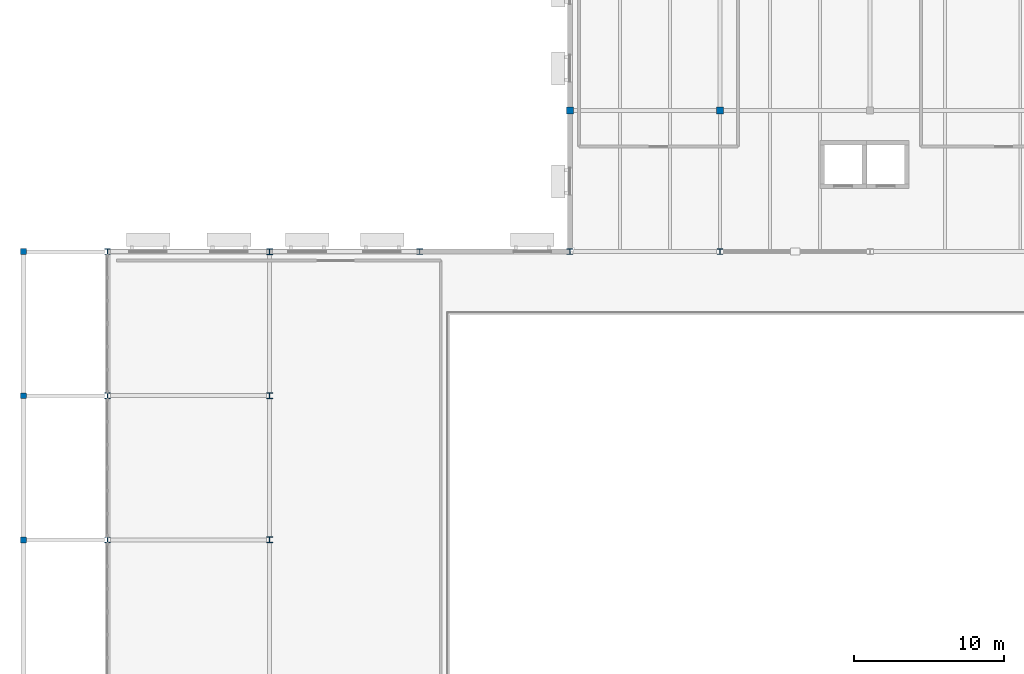
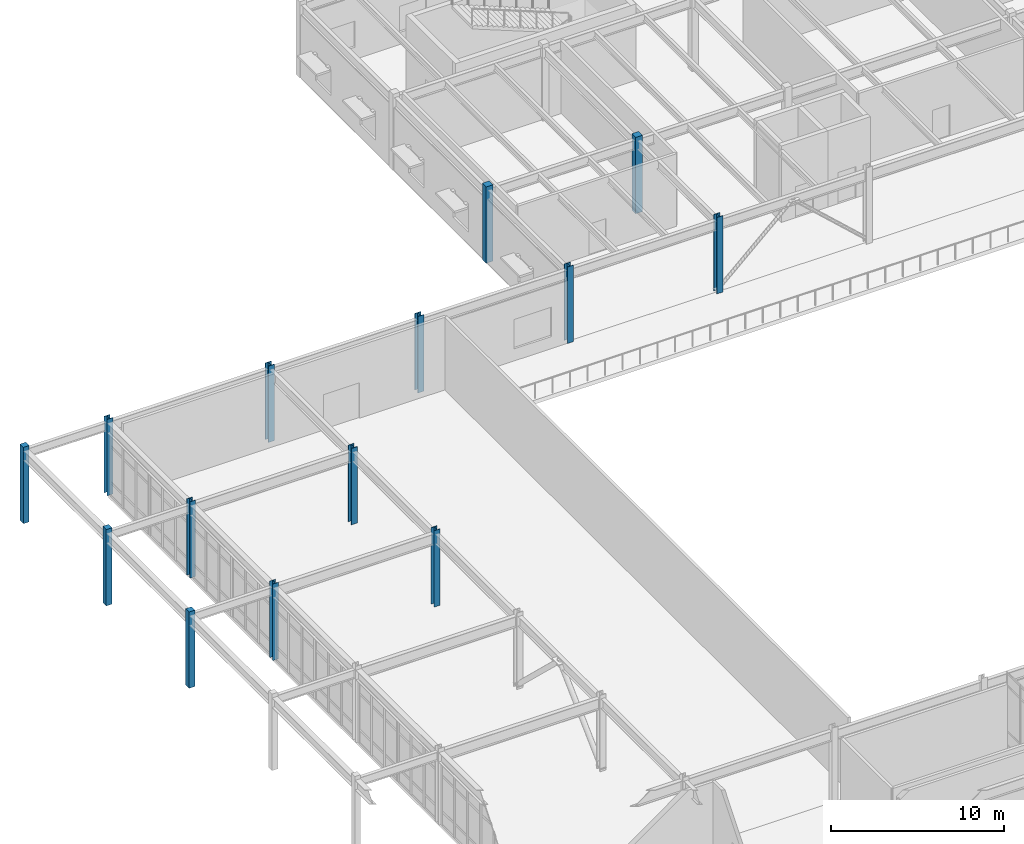
# One storey, part 4 of 72: 14 columns.
"""IFC4 building model written with IfcOpenShell, lengths in metres."""

from ifc_helpers import new_model, si_unit, direction, frame, origin, origin_2d, place, context, subcontext, project, spatial, rectangle, i_section, extrude, material, material_profile, profile_set, type_object, element, save


model = new_model("IFC4")

# Units and contexts
model_context = context("Model", 3, precision=1e-05, world=origin(), true_north=direction((0.0, 1.0)))
body_context = subcontext(model_context, "Body", "Model", "MODEL_VIEW")
ifc_project = project(units=[si_unit("LENGTHUNIT", "METRE"), si_unit("AREAUNIT", "SQUARE_METRE"), si_unit("VOLUMEUNIT", "CUBIC_METRE"), si_unit("PLANEANGLEUNIT", "RADIAN"), si_unit("MASSUNIT", "GRAM", prefix="KILO")], contexts=[model_context])

# Site, building, storey
site_placement = place(None, origin())
site = spatial("IfcSite", under=ifc_project, at=site_placement, CompositionType="ELEMENT")
building_placement = place(site_placement, origin())
building = spatial("IfcBuilding", under=site, at=building_placement, Name="Veldera Park Congress Hotel", CompositionType="ELEMENT")
storey_placement = place(building_placement, frame((0.0, 0.0, 5.39990234375)))
storey = spatial("IfcBuildingStorey", under=building, at=storey_placement, Name="L01", CompositionType="ELEMENT", Elevation=5.39990234375)

# Columns
ifc_material_1 = material(Name="Glulam GL28h (NDS 24F-V4)", Category="wood")
ifc_material_profile_1 = material_profile(ifc_material_1, rectangle(XDim=0.389892578125, YDim=0.389892578125, at=origin_2d()), Name="GL28h 390x390")
ifc_profile_set_1 = profile_set([ifc_material_profile_1], Name="Glulam GL28h (NDS 24F-V4)")
column_type_1 = type_object("IfcColumnType", Name="COL-GL36E", PredefinedType="COLUMN", material=ifc_profile_set_1)
for number, where, z_axis, x_axis, name in (
    (1, (-83.800048828125, 7.800048828125, 0.0), (0.0, 0.0, 1.0), (1.0, 0.0, 0.0), "L01 Column COL-GL36E (-83.8,7.8)"),
    (2, (-83.800048828125, 17.39990234375, 0.0), (0.0, 0.0, 1.0), (1.0, 0.0, 0.0), "L01 Column COL-GL36E (-83.8,17.4)"),
    (3, (-83.800048828125, 27.0, 0.0), (0.0, 0.0, 1.0), (1.0, 0.0, 0.0), "L01 Column COL-GL36E (-83.8,27.0)"),
):
    element("IfcColumn", number, at=place(storey_placement, frame(where, z_axis=z_axis, x_axis=x_axis)), inside=storey, type_object=column_type_1, Name=name, PredefinedType="COLUMN", context=body_context, shape_type="SweptSolid", body=[
        extrude(rectangle(XDim=0.389892578125, YDim=0.389892578125, at=origin_2d()), origin(), (0.0, 0.0, 1.0), 5.400146484375),
    ])
ifc_material_profile_2 = material_profile(ifc_material_1, rectangle(XDim=0.449951171875, YDim=0.449951171875, at=origin_2d()), Name="GL28h 450x450")
ifc_profile_set_2 = profile_set([ifc_material_profile_2], Name="Glulam GL28h (NDS 24F-V4)")
column_type_2 = type_object("IfcColumnType", Name="COL-GL45", PredefinedType="COLUMN", material=ifc_profile_set_2)
column_1_placement = place(storey_placement, frame((-37.39990234375, 36.39990234375, 0.0), z_axis=(0.0, 0.0, 1.0), x_axis=(1.0, 0.0, 0.0)))
element("IfcColumn", 4, at=column_1_placement, inside=storey, type_object=column_type_2, Name="L01 Column COL-GL45 (-37.4,36.4)", PredefinedType="COLUMN", context=body_context, shape_type="SweptSolid", body=[
    extrude(rectangle(XDim=0.449951171875, YDim=0.449951171875, at=origin_2d()), origin(), (0.0, 0.0, 1.0), 5.400146484375),
])
ifc_material_profile_3 = material_profile(ifc_material_1, rectangle(XDim=0.449951171875, YDim=0.449951171875, at=origin_2d()), Name="GL28h 450x450")
ifc_profile_set_3 = profile_set([ifc_material_profile_3], Name="Glulam GL28h (NDS 24F-V4)")
column_type_3 = type_object("IfcColumnType", Name="COL-GL45E", PredefinedType="COLUMN", material=ifc_profile_set_3)
column_2_placement = place(storey_placement, frame((-47.39990234375, 36.39990234375, 0.0), z_axis=(0.0, 0.0, 1.0), x_axis=(1.0, 0.0, 0.0)))
element("IfcColumn", 5, at=column_2_placement, inside=storey, type_object=column_type_3, Name="L01 Column COL-GL45E (-47.4,36.4)", PredefinedType="COLUMN", context=body_context, shape_type="SweptSolid", body=[
    extrude(rectangle(XDim=0.449951171875, YDim=0.449951171875, at=origin_2d()), origin(), (0.0, 0.0, 1.0), 5.400146484375),
])
ifc_material_2 = material(Name="Steel ASTM A992 Gr.50", Category="steel")
ifc_material_profile_4 = material_profile(ifc_material_2, i_section(OverallWidth=0.39404296875, OverallDepth=0.375, WebThickness=0.017333984375, FlangeThickness=0.027587890625, at=origin_2d()), Name="W14X145")
ifc_profile_set_4 = profile_set([ifc_material_profile_4], Name="Steel ASTM A992 Gr.50")
column_type_4 = type_object("IfcColumnType", Name="COL-STL132E", PredefinedType="COLUMN", material=ifc_profile_set_4)
for number, where, z_axis, x_axis, name in (
    (6, (-78.199951171875, 7.800048828125, 0.0), (0.0, 0.0, 1.0), (1.0, 0.0, 0.0), "L01 Column COL-STL132E (-78.2,7.8)"),
    (7, (-78.199951171875, 17.39990234375, 0.0), (0.0, 0.0, 1.0), (1.0, 0.0, 0.0), "L01 Column COL-STL132E (-78.2,17.4)"),
    (8, (-78.199951171875, 27.0, 0.0), (0.0, 0.0, 1.0), (1.0, 0.0, 0.0), "L01 Column COL-STL132E (-78.2,27.0)"),
):
    element("IfcColumn", number, at=place(storey_placement, frame(where, z_axis=z_axis, x_axis=x_axis)), inside=storey, type_object=column_type_4, Name=name, PredefinedType="COLUMN", context=body_context, shape_type="SweptSolid", body=[
        extrude(i_section(OverallWidth=0.39404296875, OverallDepth=0.375, WebThickness=0.017333984375, FlangeThickness=0.027587890625, at=origin_2d()), origin(), (0.0, 0.0, 1.0), 5.400146484375),
    ])
ifc_material_profile_5 = material_profile(ifc_material_2, i_section(OverallWidth=0.39599609375, OverallDepth=0.381103515625, WebThickness=0.018798828125, FlangeThickness=0.0302734375, at=origin_2d()), Name="W14X159")
ifc_profile_set_5 = profile_set([ifc_material_profile_5], Name="Steel ASTM A992 Gr.50")
column_type_5 = type_object("IfcColumnType", Name="COL-STL159", PredefinedType="COLUMN", material=ifc_profile_set_5)
for number, where, z_axis, x_axis, name in (
    (9, (-57.39990234375, 27.0, 0.0), (0.0, 0.0, 1.0), (1.0, 0.0, 0.0), "L01 Column COL-STL159 (-57.4,27.0)"),
    (10, (-47.39990234375, 27.0, 0.0), (0.0, 0.0, 1.0), (1.0, 0.0, 0.0), "L01 Column COL-STL159 (-47.4,27.0)"),
    (11, (-37.39990234375, 27.0, 0.0), (0.0, 0.0, 1.0), (1.0, 0.0, 0.0), "L01 Column COL-STL159 (-37.4,27.0)"),
):
    element("IfcColumn", number, at=place(storey_placement, frame(where, z_axis=z_axis, x_axis=x_axis)), inside=storey, type_object=column_type_5, Name=name, PredefinedType="COLUMN", context=body_context, shape_type="SweptSolid", body=[
        extrude(i_section(OverallWidth=0.39599609375, OverallDepth=0.381103515625, WebThickness=0.018798828125, FlangeThickness=0.0302734375, at=origin_2d()), origin(), (0.0, 0.0, 1.0), 5.400146484375),
    ])
ifc_material_profile_6 = material_profile(ifc_material_2, i_section(OverallWidth=0.40087890625, OverallDepth=0.39892578125, WebThickness=0.02490234375, FlangeThickness=0.03955078125, at=origin_2d()), Name="W14X211")
ifc_profile_set_6 = profile_set([ifc_material_profile_6], Name="Steel ASTM A992 Gr.50")
column_type_6 = type_object("IfcColumnType", Name="COL-STL211", PredefinedType="COLUMN", material=ifc_profile_set_6)
for number, where, z_axis, x_axis, name in (
    (12, (-67.39990234375, 7.800048828125, 0.0), (0.0, 0.0, 1.0), (1.0, 0.0, 0.0), "L01 Column COL-STL211 (-67.4,7.8)"),
    (13, (-67.39990234375, 17.39990234375, 0.0), (0.0, 0.0, 1.0), (1.0, 0.0, 0.0), "L01 Column COL-STL211 (-67.4,17.4)"),
):
    element("IfcColumn", number, at=place(storey_placement, frame(where, z_axis=z_axis, x_axis=x_axis)), inside=storey, type_object=column_type_6, Name=name, PredefinedType="COLUMN", context=body_context, shape_type="SweptSolid", body=[
        extrude(i_section(OverallWidth=0.40087890625, OverallDepth=0.39892578125, WebThickness=0.02490234375, FlangeThickness=0.03955078125, at=origin_2d()), origin(), (0.0, 0.0, 1.0), 5.400146484375),
    ])
ifc_material_profile_7 = material_profile(ifc_material_2, i_section(OverallWidth=0.40087890625, OverallDepth=0.39892578125, WebThickness=0.02490234375, FlangeThickness=0.03955078125, at=origin_2d()), Name="W14X211")
ifc_profile_set_7 = profile_set([ifc_material_profile_7], Name="Steel ASTM A992 Gr.50")
column_type_7 = type_object("IfcColumnType", Name="COL-STL211E", PredefinedType="COLUMN", material=ifc_profile_set_7)
column_3_placement = place(storey_placement, frame((-67.39990234375, 27.0, 0.0), z_axis=(0.0, 0.0, 1.0), x_axis=(1.0, 0.0, 0.0)))
element("IfcColumn", 14, at=column_3_placement, inside=storey, type_object=column_type_7, Name="L01 Column COL-STL211E (-67.4,27.0)", PredefinedType="COLUMN", context=body_context, shape_type="SweptSolid", body=[
    extrude(i_section(OverallWidth=0.40087890625, OverallDepth=0.39892578125, WebThickness=0.02490234375, FlangeThickness=0.03955078125, at=origin_2d()), origin(), (0.0, 0.0, 1.0), 5.400146484375),
])

save(model, "model.ifc")
